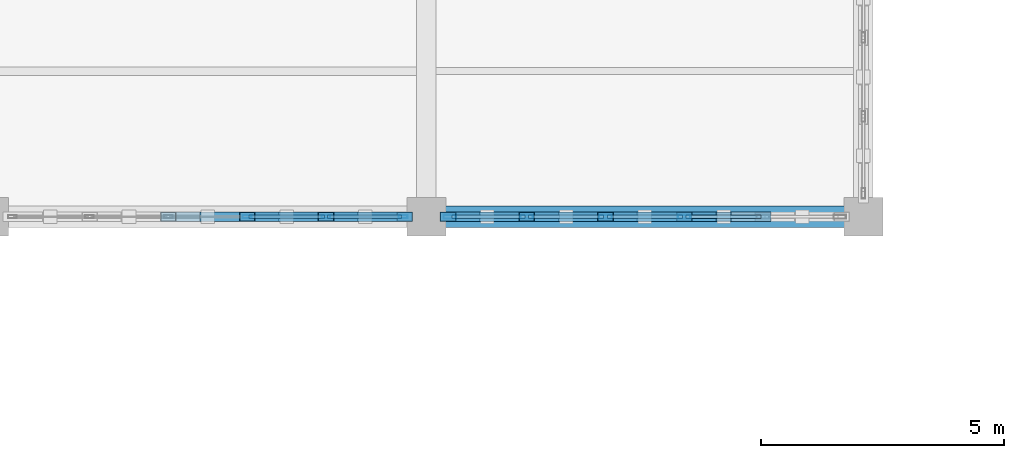
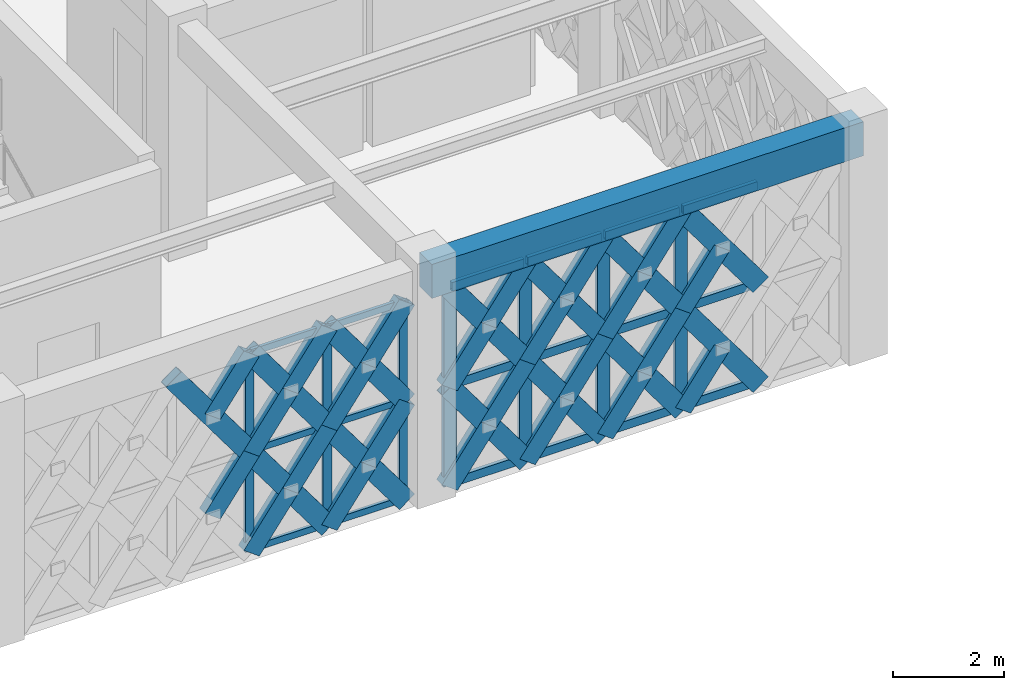
# One storey, part 39 of 86: 62 members, 1 beam, 2 elements without a shape of their own.
"""IFC4 building model written with IfcOpenShell, lengths in metres."""

from ifc_helpers import new_model, si_unit, direction, frame, origin, origin_2d, place, context, subcontext, project, spatial, rectangle, hollow_rectangle, extrude, material, material_profile, profile_set, type_object, element, aggregate, save


model = new_model("IFC4")

# Units and contexts
model_context = context("Model", 3, precision=1e-05, world=origin(), true_north=direction((0.0, 1.0)))
body_context = subcontext(model_context, "Body", "Model", "MODEL_VIEW")
ifc_project = project(units=[si_unit("LENGTHUNIT", "METRE"), si_unit("AREAUNIT", "SQUARE_METRE"), si_unit("VOLUMEUNIT", "CUBIC_METRE"), si_unit("PLANEANGLEUNIT", "RADIAN"), si_unit("MASSUNIT", "GRAM", prefix="KILO")], contexts=[model_context])

# Site, building, storey
site_placement = place(None, origin())
site = spatial("IfcSite", under=ifc_project, at=site_placement, CompositionType="ELEMENT")
building_placement = place(site_placement, origin())
building = spatial("IfcBuilding", under=site, at=building_placement, Name="Haizhuo Lancet Aquarium", CompositionType="ELEMENT")
storey_placement = place(building_placement, frame((0.0, 0.0, 16.199951171875)))
storey = spatial("IfcBuildingStorey", under=building, at=storey_placement, Name="L03", CompositionType="ELEMENT", Elevation=16.199951171875)

# Beam
ifc_material_1 = material(Name="Concrete C40/50", Category="concrete")
ifc_material_profile_1 = material_profile(ifc_material_1, rectangle(XDim=0.449951171875, YDim=0.75, at=origin_2d()), Name="RC-BM 450x750")
ifc_profile_set_1 = profile_set([ifc_material_profile_1], Name="Concrete C40/50")
beam_type = type_object("IfcBeamType", Name="BM-RC-450x750", PredefinedType="BEAM", material=ifc_profile_set_1)
beam_placement = place(storey_placement, frame((18.0, 36.0, 4.775146484375), z_axis=(1.0, 0.0, 0.0), x_axis=(0.0, 1.0, 0.0)))
element("IfcBeam", 1, at=beam_placement, inside=storey, type_object=beam_type, Name="L03 V5 primary girder BM-L03-V5-022", PredefinedType="BEAM", context=body_context, shape_type="SweptSolid", body=[
    extrude(rectangle(XDim=0.449951171875, YDim=0.75, at=origin_2d()), origin(), (0.0, 0.0, 1.0), 9.0),
])

# Curtain wall, members
ifc_material_2 = material(Name="Aluminium 6063-T6", Category="aluminium")
curtain_wall_type = type_object("IfcCurtainWallType", Name="CWD-8110x4400", PredefinedType="NOTDEFINED", material=ifc_material_2)
curtain_wall_1_placement = place(storey_placement, origin())
curtain_wall_1 = element("IfcCurtainWall", 2, at=curtain_wall_1_placement, inside=storey, type_object=curtain_wall_type, Name="L03 curtain wall CW-V5-L03-169", PredefinedType="NOTDEFINED")
ifc_material_profile_2 = material_profile(ifc_material_2, hollow_rectangle(XDim=0.06494140625, YDim=0.179931640625, WallThickness=0.00390625, at=origin_2d()), Name="ALU-M 65x180x4")
ifc_profile_set_2 = profile_set([ifc_material_profile_2], Name="Aluminium 6063-T6")
member_type_1 = type_object("IfcMemberType", Name="CW-MUL-1", PredefinedType="MULLION", material=ifc_profile_set_2)
member_1_placement = place(storey_placement, frame((17.52294921875, 36.0, 0.0), z_axis=(0.0, 0.0, 1.0), x_axis=(0.0, -1.0, 0.0)))
member_1 = element("IfcMember", 3, at=member_1_placement, type_object=member_type_1, Name="CWD-81x44 mullion 1", PredefinedType="MULLION", context=body_context, shape_type="SweptSolid", body=[
    extrude(hollow_rectangle(XDim=0.06494140625, YDim=0.179931640625, WallThickness=0.00390625, at=origin_2d()), origin(), (0.0, 0.0, 1.0), 4.400146484375),
])
member_2_placement = place(storey_placement, frame((15.93310546875, 36.0, 0.0), z_axis=(0.0, 0.0, 1.0), x_axis=(0.0, -1.0, 0.0)))
member_2 = element("IfcMember", 4, at=member_2_placement, type_object=member_type_1, Name="CWD-81x44 mullion 2", PredefinedType="MULLION", context=body_context, shape_type="SweptSolid", body=[
    extrude(hollow_rectangle(XDim=0.06494140625, YDim=0.179931640625, WallThickness=0.00390625, at=origin_2d()), origin(), (0.0, 0.0, 1.0), 4.400146484375),
])
member_3_placement = place(storey_placement, frame((14.31103515625, 36.0, 0.0), z_axis=(0.0, 0.0, 1.0), x_axis=(0.0, -1.0, 0.0)))
member_3 = element("IfcMember", 5, at=member_3_placement, type_object=member_type_1, Name="CWD-81x44 mullion 3", PredefinedType="MULLION", context=body_context, shape_type="SweptSolid", body=[
    extrude(hollow_rectangle(XDim=0.06494140625, YDim=0.179931640625, WallThickness=0.00390625, at=origin_2d()), origin(), (0.0, 0.0, 1.0), 4.400146484375),
])

curtain_wall_2_placement = place(storey_placement, origin())
curtain_wall_2 = element("IfcCurtainWall", 6, at=curtain_wall_2_placement, inside=storey, type_object=curtain_wall_type, Name="L03 curtain wall CW-V5-L03-168", PredefinedType="NOTDEFINED")
ifc_material_profile_3 = material_profile(ifc_material_2, hollow_rectangle(XDim=0.080078125, YDim=0.260009765625, WallThickness=0.0048828125, at=origin_2d()), Name="ALU-M 80x260x5")
ifc_profile_set_3 = profile_set([ifc_material_profile_3], Name="Aluminium 6063-T6")
member_type_2 = type_object("IfcMemberType", Name="CW-MUL-3", PredefinedType="MULLION", material=ifc_profile_set_3)
member_4_placement = place(storey_placement, frame((23.31103515625, 36.0, 0.0), z_axis=(0.0, 0.0, 1.0), x_axis=(0.0, -1.0, 0.0)))
member_4 = element("IfcMember", 7, at=member_4_placement, type_object=member_type_2, Name="CWD-81x44 mullion 3", PredefinedType="MULLION", context=body_context, shape_type="SweptSolid", body=[
    extrude(hollow_rectangle(XDim=0.080078125, YDim=0.260009765625, WallThickness=0.0048828125, at=origin_2d()), origin(), (0.0, 0.0, 1.0), 4.400146484375),
])
member_5_placement = place(storey_placement, frame((21.68896484375, 36.0, 0.0), z_axis=(0.0, 0.0, 1.0), x_axis=(0.0, -1.0, 0.0)))
member_5 = element("IfcMember", 8, at=member_5_placement, type_object=member_type_2, Name="CWD-81x44 mullion 4", PredefinedType="MULLION", context=body_context, shape_type="SweptSolid", body=[
    extrude(hollow_rectangle(XDim=0.080078125, YDim=0.260009765625, WallThickness=0.0048828125, at=origin_2d()), origin(), (0.0, 0.0, 1.0), 4.400146484375),
])
member_6_placement = place(storey_placement, frame((20.06689453125, 36.0, 0.0), z_axis=(0.0, 0.0, 1.0), x_axis=(0.0, -1.0, 0.0)))
member_6 = element("IfcMember", 9, at=member_6_placement, type_object=member_type_2, Name="CWD-81x44 mullion 5", PredefinedType="MULLION", context=body_context, shape_type="SweptSolid", body=[
    extrude(hollow_rectangle(XDim=0.080078125, YDim=0.260009765625, WallThickness=0.0048828125, at=origin_2d()), origin(), (0.0, 0.0, 1.0), 4.400146484375),
])
member_7_placement = place(storey_placement, frame((18.485107421875, 36.0, 0.0), z_axis=(0.0, 0.0, 1.0), x_axis=(0.0, -1.0, 0.0)))
member_7 = element("IfcMember", 10, at=member_7_placement, type_object=member_type_2, Name="CWD-81x44 mullion 6", PredefinedType="MULLION", context=body_context, shape_type="SweptSolid", body=[
    extrude(hollow_rectangle(XDim=0.080078125, YDim=0.260009765625, WallThickness=0.0048828125, at=origin_2d()), origin(), (0.0, 0.0, 1.0), 4.400146484375),
])

# Member
ifc_material_profile_4 = material_profile(ifc_material_2, hollow_rectangle(XDim=0.06494140625, YDim=0.139892578125, WallThickness=0.00390625, at=origin_2d()), Name="ALU-T 65x140x4")
ifc_profile_set_4 = profile_set([ifc_material_profile_4], Name="Aluminium 6063-T6")
member_type_3 = type_object("IfcMemberType", Name="CW-TRN-1", PredefinedType="NOTDEFINED", material=ifc_profile_set_4)
member_8_placement = place(storey_placement, frame((17.489990234375, 36.0, 0.031982421875), z_axis=(-1.0, 0.0, 0.0), x_axis=(0.0, -1.0, 0.0)))
member_8 = element("IfcMember", 11, at=member_8_placement, type_object=member_type_3, Name="CWD-81x44 transom 1.1", ObjectType="TRANSOM", PredefinedType="USERDEFINED", context=body_context, shape_type="SweptSolid", body=[
    extrude(hollow_rectangle(XDim=0.06494140625, YDim=0.139892578125, WallThickness=0.00390625, at=origin_2d()), origin(), (0.0, 0.0, 1.0), 1.52392578125),
])

member_9_placement = place(storey_placement, frame((17.489990234375, 36.0, 2.199951171875), z_axis=(-1.0, 0.0, 0.0), x_axis=(0.0, -1.0, 0.0)))
member_9 = element("IfcMember", 12, at=member_9_placement, type_object=member_type_3, Name="CWD-81x44 transom 1.2", ObjectType="TRANSOM", PredefinedType="USERDEFINED", context=body_context, shape_type="SweptSolid", body=[
    extrude(hollow_rectangle(XDim=0.06494140625, YDim=0.139892578125, WallThickness=0.00390625, at=origin_2d()), origin(), (0.0, 0.0, 1.0), 1.52392578125),
])

member_10_placement = place(storey_placement, frame((17.489990234375, 36.0, 4.3681640625), z_axis=(-1.0, 0.0, 0.0), x_axis=(0.0, -1.0, 0.0)))
member_10 = element("IfcMember", 13, at=member_10_placement, type_object=member_type_3, Name="CWD-81x44 transom 1.3", ObjectType="TRANSOM", PredefinedType="USERDEFINED", context=body_context, shape_type="SweptSolid", body=[
    extrude(hollow_rectangle(XDim=0.06494140625, YDim=0.139892578125, WallThickness=0.00390625, at=origin_2d()), origin(), (0.0, 0.0, 1.0), 1.52392578125),
])

member_11_placement = place(storey_placement, frame((15.89990234375, 36.0, 0.031982421875), z_axis=(-1.0, 0.0, 0.0), x_axis=(0.0, -1.0, 0.0)))
member_11 = element("IfcMember", 14, at=member_11_placement, type_object=member_type_3, Name="CWD-81x44 transom 2.1", ObjectType="TRANSOM", PredefinedType="USERDEFINED", context=body_context, shape_type="SweptSolid", body=[
    extrude(hollow_rectangle(XDim=0.06494140625, YDim=0.139892578125, WallThickness=0.00390625, at=origin_2d()), origin(), (0.0, 0.0, 1.0), 1.555908203125),
])

member_12_placement = place(storey_placement, frame((15.89990234375, 36.0, 2.199951171875), z_axis=(-1.0, 0.0, 0.0), x_axis=(0.0, -1.0, 0.0)))
member_12 = element("IfcMember", 15, at=member_12_placement, type_object=member_type_3, Name="CWD-81x44 transom 2.2", ObjectType="TRANSOM", PredefinedType="USERDEFINED", context=body_context, shape_type="SweptSolid", body=[
    extrude(hollow_rectangle(XDim=0.06494140625, YDim=0.139892578125, WallThickness=0.00390625, at=origin_2d()), origin(), (0.0, 0.0, 1.0), 1.555908203125),
])

member_13_placement = place(storey_placement, frame((15.89990234375, 36.0, 4.3681640625), z_axis=(-1.0, 0.0, 0.0), x_axis=(0.0, -1.0, 0.0)))
member_13 = element("IfcMember", 16, at=member_13_placement, type_object=member_type_3, Name="CWD-81x44 transom 2.3", ObjectType="TRANSOM", PredefinedType="USERDEFINED", context=body_context, shape_type="SweptSolid", body=[
    extrude(hollow_rectangle(XDim=0.06494140625, YDim=0.139892578125, WallThickness=0.00390625, at=origin_2d()), origin(), (0.0, 0.0, 1.0), 1.555908203125),
])

aggregate(curtain_wall_1, [member_1, member_2, member_3, member_8, member_9, member_10, member_11, member_12, member_13])

ifc_material_profile_5 = material_profile(ifc_material_2, hollow_rectangle(XDim=0.080078125, YDim=0.18994140625, WallThickness=0.0048828125, at=origin_2d()), Name="ALU-T 80x190x5")
ifc_profile_set_5 = profile_set([ifc_material_profile_5], Name="Aluminium 6063-T6")
member_type_4 = type_object("IfcMemberType", Name="CW-TRN-3", PredefinedType="NOTDEFINED", material=ifc_profile_set_5)
member_14_placement = place(storey_placement, frame((24.89306640625, 36.0, 0.0400390625), z_axis=(-1.0, 0.0, 0.0), x_axis=(0.0, -1.0, 0.0)))
member_14 = element("IfcMember", 17, at=member_14_placement, type_object=member_type_4, Name="CWD-81x44 transom 2.1", ObjectType="TRANSOM", PredefinedType="USERDEFINED", context=body_context, shape_type="SweptSolid", body=[
    extrude(hollow_rectangle(XDim=0.080078125, YDim=0.18994140625, WallThickness=0.0048828125, at=origin_2d()), origin(), (0.0, 0.0, 1.0), 1.5419921875),
])

member_15_placement = place(storey_placement, frame((24.89306640625, 36.0, 2.199951171875), z_axis=(-1.0, 0.0, 0.0), x_axis=(0.0, -1.0, 0.0)))
member_15 = element("IfcMember", 18, at=member_15_placement, type_object=member_type_4, Name="CWD-81x44 transom 2.2", ObjectType="TRANSOM", PredefinedType="USERDEFINED", context=body_context, shape_type="SweptSolid", body=[
    extrude(hollow_rectangle(XDim=0.080078125, YDim=0.18994140625, WallThickness=0.0048828125, at=origin_2d()), origin(), (0.0, 0.0, 1.0), 1.5419921875),
])

member_16_placement = place(storey_placement, frame((24.89306640625, 36.0, 4.360107421875), z_axis=(-1.0, 0.0, 0.0), x_axis=(0.0, -1.0, 0.0)))
member_16 = element("IfcMember", 19, at=member_16_placement, type_object=member_type_4, Name="CWD-81x44 transom 2.3", ObjectType="TRANSOM", PredefinedType="USERDEFINED", context=body_context, shape_type="SweptSolid", body=[
    extrude(hollow_rectangle(XDim=0.080078125, YDim=0.18994140625, WallThickness=0.0048828125, at=origin_2d()), origin(), (0.0, 0.0, 1.0), 1.5419921875),
])

member_17_placement = place(storey_placement, frame((23.27099609375, 36.0, 0.0400390625), z_axis=(-1.0, 0.0, 0.0), x_axis=(0.0, -1.0, 0.0)))
member_17 = element("IfcMember", 20, at=member_17_placement, type_object=member_type_4, Name="CWD-81x44 transom 3.1", ObjectType="TRANSOM", PredefinedType="USERDEFINED", context=body_context, shape_type="SweptSolid", body=[
    extrude(hollow_rectangle(XDim=0.080078125, YDim=0.18994140625, WallThickness=0.0048828125, at=origin_2d()), origin(), (0.0, 0.0, 1.0), 1.5419921875),
])

member_18_placement = place(storey_placement, frame((23.27099609375, 36.0, 2.199951171875), z_axis=(-1.0, 0.0, 0.0), x_axis=(0.0, -1.0, 0.0)))
member_18 = element("IfcMember", 21, at=member_18_placement, type_object=member_type_4, Name="CWD-81x44 transom 3.2", ObjectType="TRANSOM", PredefinedType="USERDEFINED", context=body_context, shape_type="SweptSolid", body=[
    extrude(hollow_rectangle(XDim=0.080078125, YDim=0.18994140625, WallThickness=0.0048828125, at=origin_2d()), origin(), (0.0, 0.0, 1.0), 1.5419921875),
])

member_19_placement = place(storey_placement, frame((23.27099609375, 36.0, 4.360107421875), z_axis=(-1.0, 0.0, 0.0), x_axis=(0.0, -1.0, 0.0)))
member_19 = element("IfcMember", 22, at=member_19_placement, type_object=member_type_4, Name="CWD-81x44 transom 3.3", ObjectType="TRANSOM", PredefinedType="USERDEFINED", context=body_context, shape_type="SweptSolid", body=[
    extrude(hollow_rectangle(XDim=0.080078125, YDim=0.18994140625, WallThickness=0.0048828125, at=origin_2d()), origin(), (0.0, 0.0, 1.0), 1.5419921875),
])

member_20_placement = place(storey_placement, frame((21.64892578125, 36.0, 0.0400390625), z_axis=(-1.0, 0.0, 0.0), x_axis=(0.0, -1.0, 0.0)))
member_20 = element("IfcMember", 23, at=member_20_placement, type_object=member_type_4, Name="CWD-81x44 transom 4.1", ObjectType="TRANSOM", PredefinedType="USERDEFINED", context=body_context, shape_type="SweptSolid", body=[
    extrude(hollow_rectangle(XDim=0.080078125, YDim=0.18994140625, WallThickness=0.0048828125, at=origin_2d()), origin(), (0.0, 0.0, 1.0), 1.5419921875),
])

member_21_placement = place(storey_placement, frame((21.64892578125, 36.0, 2.199951171875), z_axis=(-1.0, 0.0, 0.0), x_axis=(0.0, -1.0, 0.0)))
member_21 = element("IfcMember", 24, at=member_21_placement, type_object=member_type_4, Name="CWD-81x44 transom 4.2", ObjectType="TRANSOM", PredefinedType="USERDEFINED", context=body_context, shape_type="SweptSolid", body=[
    extrude(hollow_rectangle(XDim=0.080078125, YDim=0.18994140625, WallThickness=0.0048828125, at=origin_2d()), origin(), (0.0, 0.0, 1.0), 1.5419921875),
])

member_22_placement = place(storey_placement, frame((21.64892578125, 36.0, 4.360107421875), z_axis=(-1.0, 0.0, 0.0), x_axis=(0.0, -1.0, 0.0)))
member_22 = element("IfcMember", 25, at=member_22_placement, type_object=member_type_4, Name="CWD-81x44 transom 4.3", ObjectType="TRANSOM", PredefinedType="USERDEFINED", context=body_context, shape_type="SweptSolid", body=[
    extrude(hollow_rectangle(XDim=0.080078125, YDim=0.18994140625, WallThickness=0.0048828125, at=origin_2d()), origin(), (0.0, 0.0, 1.0), 1.5419921875),
])

member_23_placement = place(storey_placement, frame((20.027099609375, 36.0, 0.0400390625), z_axis=(-1.0, 0.0, 0.0), x_axis=(0.0, -1.0, 0.0)))
member_23 = element("IfcMember", 26, at=member_23_placement, type_object=member_type_4, Name="CWD-81x44 transom 5.1", ObjectType="TRANSOM", PredefinedType="USERDEFINED", context=body_context, shape_type="SweptSolid", body=[
    extrude(hollow_rectangle(XDim=0.080078125, YDim=0.18994140625, WallThickness=0.0048828125, at=origin_2d()), origin(), (0.0, 0.0, 1.0), 1.502197265625),
])

member_24_placement = place(storey_placement, frame((20.027099609375, 36.0, 2.199951171875), z_axis=(-1.0, 0.0, 0.0), x_axis=(0.0, -1.0, 0.0)))
member_24 = element("IfcMember", 27, at=member_24_placement, type_object=member_type_4, Name="CWD-81x44 transom 5.2", ObjectType="TRANSOM", PredefinedType="USERDEFINED", context=body_context, shape_type="SweptSolid", body=[
    extrude(hollow_rectangle(XDim=0.080078125, YDim=0.18994140625, WallThickness=0.0048828125, at=origin_2d()), origin(), (0.0, 0.0, 1.0), 1.502197265625),
])

member_25_placement = place(storey_placement, frame((20.027099609375, 36.0, 4.360107421875), z_axis=(-1.0, 0.0, 0.0), x_axis=(0.0, -1.0, 0.0)))
member_25 = element("IfcMember", 28, at=member_25_placement, type_object=member_type_4, Name="CWD-81x44 transom 5.3", ObjectType="TRANSOM", PredefinedType="USERDEFINED", context=body_context, shape_type="SweptSolid", body=[
    extrude(hollow_rectangle(XDim=0.080078125, YDim=0.18994140625, WallThickness=0.0048828125, at=origin_2d()), origin(), (0.0, 0.0, 1.0), 1.502197265625),
])

aggregate(curtain_wall_2, [member_4, member_5, member_6, member_7, member_14, member_15, member_16, member_17, member_18, member_19, member_20, member_21, member_22, member_23, member_24, member_25])

# Members
ifc_material_3 = material(Name="Steel S355", Category="steel")
ifc_material_profile_6 = material_profile(ifc_material_3, hollow_rectangle(XDim=0.199951171875, YDim=0.39990234375, WallThickness=0.011962890625, at=origin_2d()), Name="RHS 200x400x12")
ifc_profile_set_6 = profile_set([ifc_material_profile_6], Name="Steel S355")
member_type_5 = type_object("IfcMemberType", Name="MEM-LB-RHS200x400", PredefinedType="BRACE", material=ifc_profile_set_6)
member_26_placement = place(storey_placement, frame((24.93310546875, 36.0, 0.0), z_axis=(-0.59344885176, 0.0, 0.804871704276), x_axis=(0.0, -1.0, 0.0)))
element("IfcMember", 29, at=member_26_placement, inside=storey, type_object=member_type_5, Name="Gothic lancet continuous diagonal brace CW-V5-L03-168 3A", PredefinedType="BRACE", context=body_context, shape_type="SweptSolid", body=[
    extrude(hollow_rectangle(XDim=0.199951171875, YDim=0.39990234375, WallThickness=0.011962890625, at=origin_2d()), origin(), (0.0, 0.0, 1.0), 2.7333984375),
])
member_27_placement = place(storey_placement, frame((23.31103515625, 36.0, 0.0), z_axis=(0.593406189792, 0.0, 0.804903158098), x_axis=(0.0, 1.0, 0.0)))
element("IfcMember", 30, at=member_27_placement, inside=storey, type_object=member_type_5, Name="Gothic lancet split diagonal brace CW-V5-L03-168 3B1", PredefinedType="BRACE", context=body_context, shape_type="SweptSolid", body=[
    extrude(hollow_rectangle(XDim=0.199951171875, YDim=0.39990234375, WallThickness=0.011962890625, at=origin_2d()), origin(), (0.0, 0.0, 1.0), 1.36669921875),
])
member_28_placement = place(storey_placement, frame((24.93310546875, 36.0, 2.199951171875), z_axis=(-0.593406189792, 0.0, 0.804903158098), x_axis=(0.0, -1.0, 0.0)))
element("IfcMember", 31, at=member_28_placement, inside=storey, type_object=member_type_5, Name="Gothic lancet continuous diagonal brace CW-V5-L03-168 4A", PredefinedType="BRACE", context=body_context, shape_type="SweptSolid", body=[
    extrude(hollow_rectangle(XDim=0.199951171875, YDim=0.39990234375, WallThickness=0.011962890625, at=origin_2d()), origin(), (0.0, 0.0, 1.0), 2.7333984375),
])
member_29_placement = place(storey_placement, frame((23.31103515625, 36.0, 2.199951171875), z_axis=(0.593406189792, 0.0, 0.804903158098), x_axis=(0.0, 1.0, 0.0)))
element("IfcMember", 32, at=member_29_placement, inside=storey, type_object=member_type_5, Name="Gothic lancet split diagonal brace CW-V5-L03-168 4B1", PredefinedType="BRACE", context=body_context, shape_type="SweptSolid", body=[
    extrude(hollow_rectangle(XDim=0.199951171875, YDim=0.39990234375, WallThickness=0.011962890625, at=origin_2d()), origin(), (0.0, 0.0, 1.0), 1.36669921875),
])
member_30_placement = place(storey_placement, frame((23.31103515625, 36.0, 0.0), z_axis=(-0.59344885176, 0.0, 0.804871704276), x_axis=(0.0, -1.0, 0.0)))
element("IfcMember", 33, at=member_30_placement, inside=storey, type_object=member_type_5, Name="Gothic lancet continuous diagonal brace CW-V5-L03-168 5A", PredefinedType="BRACE", context=body_context, shape_type="SweptSolid", body=[
    extrude(hollow_rectangle(XDim=0.199951171875, YDim=0.39990234375, WallThickness=0.011962890625, at=origin_2d()), origin(), (0.0, 0.0, 1.0), 2.7333984375),
])
member_31_placement = place(storey_placement, frame((21.68896484375, 36.0, 0.0), z_axis=(0.593406189792, 0.0, 0.804903158098), x_axis=(0.0, 1.0, 0.0)))
element("IfcMember", 34, at=member_31_placement, inside=storey, type_object=member_type_5, Name="Gothic lancet split diagonal brace CW-V5-L03-168 5B1", PredefinedType="BRACE", context=body_context, shape_type="SweptSolid", body=[
    extrude(hollow_rectangle(XDim=0.199951171875, YDim=0.39990234375, WallThickness=0.011962890625, at=origin_2d()), origin(), (0.0, 0.0, 1.0), 1.36669921875),
])
member_32_placement = place(storey_placement, frame((22.5, 36.0, 1.10009765625), z_axis=(0.593491518195, 0.0, 0.80484024367), x_axis=(0.0, 1.0, 0.0)))
element("IfcMember", 35, at=member_32_placement, inside=storey, type_object=member_type_5, Name="Gothic lancet split diagonal brace CW-V5-L03-168 5B2", PredefinedType="BRACE", context=body_context, shape_type="SweptSolid", body=[
    extrude(hollow_rectangle(XDim=0.199951171875, YDim=0.39990234375, WallThickness=0.011962890625, at=origin_2d()), origin(), (0.0, 0.0, 1.0), 1.366455078125),
])
member_33_placement = place(storey_placement, frame((23.31103515625, 36.0, 2.199951171875), z_axis=(-0.593406189792, 0.0, 0.804903158098), x_axis=(0.0, -1.0, 0.0)))
element("IfcMember", 36, at=member_33_placement, inside=storey, type_object=member_type_5, Name="Gothic lancet continuous diagonal brace CW-V5-L03-168 6A", PredefinedType="BRACE", context=body_context, shape_type="SweptSolid", body=[
    extrude(hollow_rectangle(XDim=0.199951171875, YDim=0.39990234375, WallThickness=0.011962890625, at=origin_2d()), origin(), (0.0, 0.0, 1.0), 2.7333984375),
])
for number, where, z_axis, x_axis, name in (
    (37, (21.68896484375, 36.0, 2.199951171875), (0.593406189792, 0.0, 0.804903158098), (0.0, 1.0, 0.0), "Gothic lancet split diagonal brace CW-V5-L03-168 6B1"),
    (38, (22.5, 36.0, 3.300048828125), (0.593406189792, 0.0, 0.804903158098), (0.0, 1.0, 0.0), "Gothic lancet split diagonal brace CW-V5-L03-168 6B2"),
):
    element("IfcMember", number, at=place(storey_placement, frame(where, z_axis=z_axis, x_axis=x_axis)), inside=storey, type_object=member_type_5, Name=name, PredefinedType="BRACE", context=body_context, shape_type="SweptSolid", body=[
        extrude(hollow_rectangle(XDim=0.199951171875, YDim=0.39990234375, WallThickness=0.011962890625, at=origin_2d()), origin(), (0.0, 0.0, 1.0), 1.36669921875),
    ])
member_34_placement = place(storey_placement, frame((21.68896484375, 36.0, 0.0), z_axis=(-0.59344885176, 0.0, 0.804871704276), x_axis=(0.0, -1.0, 0.0)))
element("IfcMember", 39, at=member_34_placement, inside=storey, type_object=member_type_5, Name="Gothic lancet continuous diagonal brace CW-V5-L03-168 7A", PredefinedType="BRACE", context=body_context, shape_type="SweptSolid", body=[
    extrude(hollow_rectangle(XDim=0.199951171875, YDim=0.39990234375, WallThickness=0.011962890625, at=origin_2d()), origin(), (0.0, 0.0, 1.0), 2.7333984375),
])
member_35_placement = place(storey_placement, frame((20.06689453125, 36.0, 0.0), z_axis=(0.593406189792, 0.0, 0.804903158098), x_axis=(0.0, 1.0, 0.0)))
element("IfcMember", 40, at=member_35_placement, inside=storey, type_object=member_type_5, Name="Gothic lancet split diagonal brace CW-V5-L03-168 7B1", PredefinedType="BRACE", context=body_context, shape_type="SweptSolid", body=[
    extrude(hollow_rectangle(XDim=0.199951171875, YDim=0.39990234375, WallThickness=0.011962890625, at=origin_2d()), origin(), (0.0, 0.0, 1.0), 1.36669921875),
])
member_36_placement = place(storey_placement, frame((20.8779296875, 36.0, 1.10009765625), z_axis=(0.593491518195, 0.0, 0.80484024367), x_axis=(0.0, 1.0, 0.0)))
element("IfcMember", 41, at=member_36_placement, inside=storey, type_object=member_type_5, Name="Gothic lancet split diagonal brace CW-V5-L03-168 7B2", PredefinedType="BRACE", context=body_context, shape_type="SweptSolid", body=[
    extrude(hollow_rectangle(XDim=0.199951171875, YDim=0.39990234375, WallThickness=0.011962890625, at=origin_2d()), origin(), (0.0, 0.0, 1.0), 1.366455078125),
])
member_37_placement = place(storey_placement, frame((21.68896484375, 36.0, 2.199951171875), z_axis=(-0.593406189792, 0.0, 0.804903158098), x_axis=(0.0, -1.0, 0.0)))
element("IfcMember", 42, at=member_37_placement, inside=storey, type_object=member_type_5, Name="Gothic lancet continuous diagonal brace CW-V5-L03-168 8A", PredefinedType="BRACE", context=body_context, shape_type="SweptSolid", body=[
    extrude(hollow_rectangle(XDim=0.199951171875, YDim=0.39990234375, WallThickness=0.011962890625, at=origin_2d()), origin(), (0.0, 0.0, 1.0), 2.7333984375),
])
for number, where, z_axis, x_axis, name in (
    (43, (20.06689453125, 36.0, 2.199951171875), (0.593406189792, 0.0, 0.804903158098), (0.0, 1.0, 0.0), "Gothic lancet split diagonal brace CW-V5-L03-168 8B1"),
    (44, (20.8779296875, 36.0, 3.300048828125), (0.593406189792, 0.0, 0.804903158098), (0.0, 1.0, 0.0), "Gothic lancet split diagonal brace CW-V5-L03-168 8B2"),
):
    element("IfcMember", number, at=place(storey_placement, frame(where, z_axis=z_axis, x_axis=x_axis)), inside=storey, type_object=member_type_5, Name=name, PredefinedType="BRACE", context=body_context, shape_type="SweptSolid", body=[
        extrude(hollow_rectangle(XDim=0.199951171875, YDim=0.39990234375, WallThickness=0.011962890625, at=origin_2d()), origin(), (0.0, 0.0, 1.0), 1.36669921875),
    ])
member_38_placement = place(storey_placement, frame((20.06689453125, 36.0, 0.0), z_axis=(-0.593390983354, 0.0, 0.804914368659), x_axis=(0.0, -1.0, 0.0)))
element("IfcMember", 45, at=member_38_placement, inside=storey, type_object=member_type_5, Name="Gothic lancet continuous diagonal brace CW-V5-L03-168 9A", PredefinedType="BRACE", context=body_context, shape_type="SweptSolid", body=[
    extrude(hollow_rectangle(XDim=0.199951171875, YDim=0.39990234375, WallThickness=0.011962890625, at=origin_2d()), origin(), (0.0, 0.0, 1.0), 2.733154296875),
])
member_39_placement = place(storey_placement, frame((18.445068359375, 36.0, 0.0), z_axis=(0.593406189792, 0.0, 0.804903158098), x_axis=(0.0, 1.0, 0.0)))
element("IfcMember", 46, at=member_39_placement, inside=storey, type_object=member_type_5, Name="Gothic lancet split diagonal brace CW-V5-L03-168 9B1", PredefinedType="BRACE", context=body_context, shape_type="SweptSolid", body=[
    extrude(hollow_rectangle(XDim=0.199951171875, YDim=0.39990234375, WallThickness=0.011962890625, at=origin_2d()), origin(), (0.0, 0.0, 1.0), 1.36669921875),
])
member_40_placement = place(storey_placement, frame((19.256103515625, 36.0, 1.10009765625), z_axis=(0.593375772905, 0.0, 0.804925581734), x_axis=(0.0, 1.0, 0.0)))
element("IfcMember", 47, at=member_40_placement, inside=storey, type_object=member_type_5, Name="Gothic lancet split diagonal brace CW-V5-L03-168 9B2", PredefinedType="BRACE", context=body_context, shape_type="SweptSolid", body=[
    extrude(hollow_rectangle(XDim=0.199951171875, YDim=0.39990234375, WallThickness=0.011962890625, at=origin_2d()), origin(), (0.0, 0.0, 1.0), 1.366455078125),
])
member_41_placement = place(storey_placement, frame((20.06689453125, 36.0, 2.199951171875), z_axis=(-0.593348321024, 0.0, 0.804945818014), x_axis=(0.0, -1.0, 0.0)))
element("IfcMember", 48, at=member_41_placement, inside=storey, type_object=member_type_5, Name="Gothic lancet continuous diagonal brace CW-V5-L03-168 10A", PredefinedType="BRACE", context=body_context, shape_type="SweptSolid", body=[
    extrude(hollow_rectangle(XDim=0.199951171875, YDim=0.39990234375, WallThickness=0.011962890625, at=origin_2d()), origin(), (0.0, 0.0, 1.0), 2.7333984375),
])
for number, where, z_axis, x_axis, name in (
    (49, (18.445068359375, 36.0, 2.199951171875), (0.593406189792, 0.0, 0.804903158098), (0.0, 1.0, 0.0), "Gothic lancet split diagonal brace CW-V5-L03-168 10B1"),
    (50, (19.256103515625, 36.0, 3.300048828125), (0.593290443054, 0.0, 0.80498847829), (0.0, 1.0, 0.0), "Gothic lancet split diagonal brace CW-V5-L03-168 10B2"),
):
    element("IfcMember", number, at=place(storey_placement, frame(where, z_axis=z_axis, x_axis=x_axis)), inside=storey, type_object=member_type_5, Name=name, PredefinedType="BRACE", context=body_context, shape_type="SweptSolid", body=[
        extrude(hollow_rectangle(XDim=0.199951171875, YDim=0.39990234375, WallThickness=0.011962890625, at=origin_2d()), origin(), (0.0, 0.0, 1.0), 1.36669921875),
    ])
member_42_placement = place(storey_placement, frame((17.554931640625, 36.0, 0.0), z_axis=(-0.593390983354, 0.0, 0.804914368659), x_axis=(0.0, -1.0, 0.0)))
element("IfcMember", 51, at=member_42_placement, inside=storey, type_object=member_type_5, Name="Gothic lancet continuous diagonal brace CW-V5-L03-169 1A", PredefinedType="BRACE", context=body_context, shape_type="SweptSolid", body=[
    extrude(hollow_rectangle(XDim=0.199951171875, YDim=0.39990234375, WallThickness=0.011962890625, at=origin_2d()), origin(), (0.0, 0.0, 1.0), 2.733154296875),
])
member_43_placement = place(storey_placement, frame((15.93310546875, 36.0, 0.0), z_axis=(0.593290443054, 0.0, 0.80498847829), x_axis=(0.0, 1.0, 0.0)))
element("IfcMember", 52, at=member_43_placement, inside=storey, type_object=member_type_5, Name="Gothic lancet split diagonal brace CW-V5-L03-169 1B1", PredefinedType="BRACE", context=body_context, shape_type="SweptSolid", body=[
    extrude(hollow_rectangle(XDim=0.199951171875, YDim=0.39990234375, WallThickness=0.011962890625, at=origin_2d()), origin(), (0.0, 0.0, 1.0), 1.36669921875),
])
member_44_placement = place(storey_placement, frame((16.743896484375, 36.0, 1.10009765625), z_axis=(0.593491518195, 0.0, 0.80484024367), x_axis=(0.0, 1.0, 0.0)))
element("IfcMember", 53, at=member_44_placement, inside=storey, type_object=member_type_5, Name="Gothic lancet split diagonal brace CW-V5-L03-169 1B2", PredefinedType="BRACE", context=body_context, shape_type="SweptSolid", body=[
    extrude(hollow_rectangle(XDim=0.199951171875, YDim=0.39990234375, WallThickness=0.011962890625, at=origin_2d()), origin(), (0.0, 0.0, 1.0), 1.366455078125),
])
member_45_placement = place(storey_placement, frame((17.554931640625, 36.0, 2.199951171875), z_axis=(-0.593348321024, 0.0, 0.804945818014), x_axis=(0.0, -1.0, 0.0)))
element("IfcMember", 54, at=member_45_placement, inside=storey, type_object=member_type_5, Name="Gothic lancet continuous diagonal brace CW-V5-L03-169 2A", PredefinedType="BRACE", context=body_context, shape_type="SweptSolid", body=[
    extrude(hollow_rectangle(XDim=0.199951171875, YDim=0.39990234375, WallThickness=0.011962890625, at=origin_2d()), origin(), (0.0, 0.0, 1.0), 2.7333984375),
])
for number, where, z_axis, x_axis, name in (
    (55, (15.93310546875, 36.0, 2.199951171875), (0.593290443054, 0.0, 0.80498847829), (0.0, 1.0, 0.0), "Gothic lancet split diagonal brace CW-V5-L03-169 2B1"),
    (56, (16.743896484375, 36.0, 3.300048828125), (0.593406189792, 0.0, 0.804903158098), (0.0, 1.0, 0.0), "Gothic lancet split diagonal brace CW-V5-L03-169 2B2"),
):
    element("IfcMember", number, at=place(storey_placement, frame(where, z_axis=z_axis, x_axis=x_axis)), inside=storey, type_object=member_type_5, Name=name, PredefinedType="BRACE", context=body_context, shape_type="SweptSolid", body=[
        extrude(hollow_rectangle(XDim=0.199951171875, YDim=0.39990234375, WallThickness=0.011962890625, at=origin_2d()), origin(), (0.0, 0.0, 1.0), 1.36669921875),
    ])
member_46_placement = place(storey_placement, frame((15.93310546875, 36.0, 0.0), z_axis=(-0.59344885176, 0.0, 0.804871704276), x_axis=(0.0, -1.0, 0.0)))
element("IfcMember", 57, at=member_46_placement, inside=storey, type_object=member_type_5, Name="Gothic lancet continuous diagonal brace CW-V5-L03-169 3A", PredefinedType="BRACE", context=body_context, shape_type="SweptSolid", body=[
    extrude(hollow_rectangle(XDim=0.199951171875, YDim=0.39990234375, WallThickness=0.011962890625, at=origin_2d()), origin(), (0.0, 0.0, 1.0), 2.7333984375),
])
member_47_placement = place(storey_placement, frame((14.31103515625, 36.0, 0.0), z_axis=(0.593406189792, 0.0, 0.804903158098), x_axis=(0.0, 1.0, 0.0)))
element("IfcMember", 58, at=member_47_placement, inside=storey, type_object=member_type_5, Name="Gothic lancet split diagonal brace CW-V5-L03-169 3B1", PredefinedType="BRACE", context=body_context, shape_type="SweptSolid", body=[
    extrude(hollow_rectangle(XDim=0.199951171875, YDim=0.39990234375, WallThickness=0.011962890625, at=origin_2d()), origin(), (0.0, 0.0, 1.0), 1.36669921875),
])
member_48_placement = place(storey_placement, frame((15.1220703125, 36.0, 1.10009765625), z_axis=(0.593491518195, 0.0, 0.80484024367), x_axis=(0.0, 1.0, 0.0)))
element("IfcMember", 59, at=member_48_placement, inside=storey, type_object=member_type_5, Name="Gothic lancet split diagonal brace CW-V5-L03-169 3B2", PredefinedType="BRACE", context=body_context, shape_type="SweptSolid", body=[
    extrude(hollow_rectangle(XDim=0.199951171875, YDim=0.39990234375, WallThickness=0.011962890625, at=origin_2d()), origin(), (0.0, 0.0, 1.0), 1.366455078125),
])
member_49_placement = place(storey_placement, frame((15.93310546875, 36.0, 2.199951171875), z_axis=(-0.593406189792, 0.0, 0.804903158098), x_axis=(0.0, -1.0, 0.0)))
element("IfcMember", 60, at=member_49_placement, inside=storey, type_object=member_type_5, Name="Gothic lancet continuous diagonal brace CW-V5-L03-169 4A", PredefinedType="BRACE", context=body_context, shape_type="SweptSolid", body=[
    extrude(hollow_rectangle(XDim=0.199951171875, YDim=0.39990234375, WallThickness=0.011962890625, at=origin_2d()), origin(), (0.0, 0.0, 1.0), 2.7333984375),
])
for number, where, z_axis, x_axis, name in (
    (61, (14.31103515625, 36.0, 2.199951171875), (0.593406189792, 0.0, 0.804903158098), (0.0, 1.0, 0.0), "Gothic lancet split diagonal brace CW-V5-L03-169 4B1"),
    (62, (15.1220703125, 36.0, 3.300048828125), (0.593406189792, 0.0, 0.804903158098), (0.0, 1.0, 0.0), "Gothic lancet split diagonal brace CW-V5-L03-169 4B2"),
):
    element("IfcMember", number, at=place(storey_placement, frame(where, z_axis=z_axis, x_axis=x_axis)), inside=storey, type_object=member_type_5, Name=name, PredefinedType="BRACE", context=body_context, shape_type="SweptSolid", body=[
        extrude(hollow_rectangle(XDim=0.199951171875, YDim=0.39990234375, WallThickness=0.011962890625, at=origin_2d()), origin(), (0.0, 0.0, 1.0), 1.36669921875),
    ])
member_50_placement = place(storey_placement, frame((13.5, 36.0, 1.10009765625), z_axis=(0.593491518195, 0.0, 0.80484024367), x_axis=(0.0, 1.0, 0.0)))
element("IfcMember", 63, at=member_50_placement, inside=storey, type_object=member_type_5, Name="Gothic lancet split diagonal brace CW-V5-L03-169 5B2", PredefinedType="BRACE", context=body_context, shape_type="SweptSolid", body=[
    extrude(hollow_rectangle(XDim=0.199951171875, YDim=0.39990234375, WallThickness=0.011962890625, at=origin_2d()), origin(), (0.0, 0.0, 1.0), 1.366455078125),
])
member_51_placement = place(storey_placement, frame((14.31103515625, 36.0, 2.199951171875), z_axis=(-0.593406189792, 0.0, 0.804903158098), x_axis=(0.0, -1.0, 0.0)))
element("IfcMember", 64, at=member_51_placement, inside=storey, type_object=member_type_5, Name="Gothic lancet continuous diagonal brace CW-V5-L03-169 6A", PredefinedType="BRACE", context=body_context, shape_type="SweptSolid", body=[
    extrude(hollow_rectangle(XDim=0.199951171875, YDim=0.39990234375, WallThickness=0.011962890625, at=origin_2d()), origin(), (0.0, 0.0, 1.0), 2.7333984375),
])
member_52_placement = place(storey_placement, frame((13.5, 36.0, 3.300048828125), z_axis=(0.593406189792, 0.0, 0.804903158098), x_axis=(0.0, 1.0, 0.0)))
element("IfcMember", 65, at=member_52_placement, inside=storey, type_object=member_type_5, Name="Gothic lancet split diagonal brace CW-V5-L03-169 6B2", PredefinedType="BRACE", context=body_context, shape_type="SweptSolid", body=[
    extrude(hollow_rectangle(XDim=0.199951171875, YDim=0.39990234375, WallThickness=0.011962890625, at=origin_2d()), origin(), (0.0, 0.0, 1.0), 1.36669921875),
])

save(model, "model.ifc")
